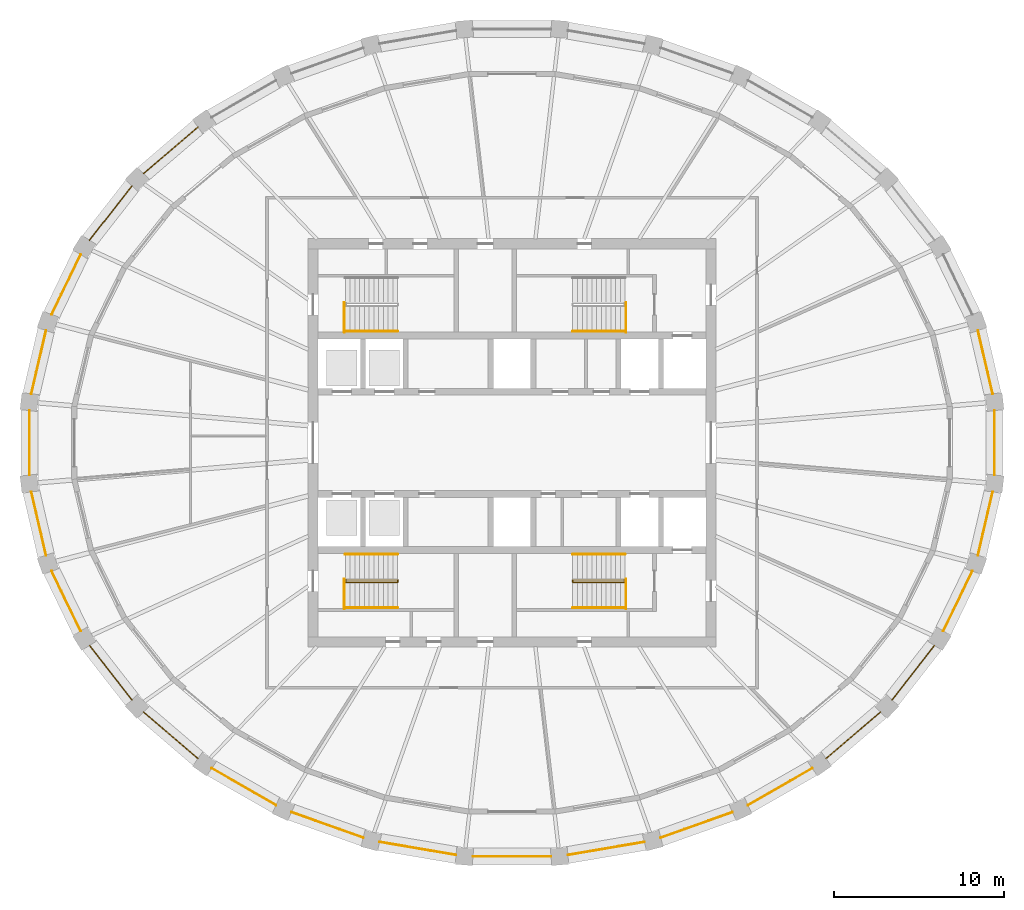
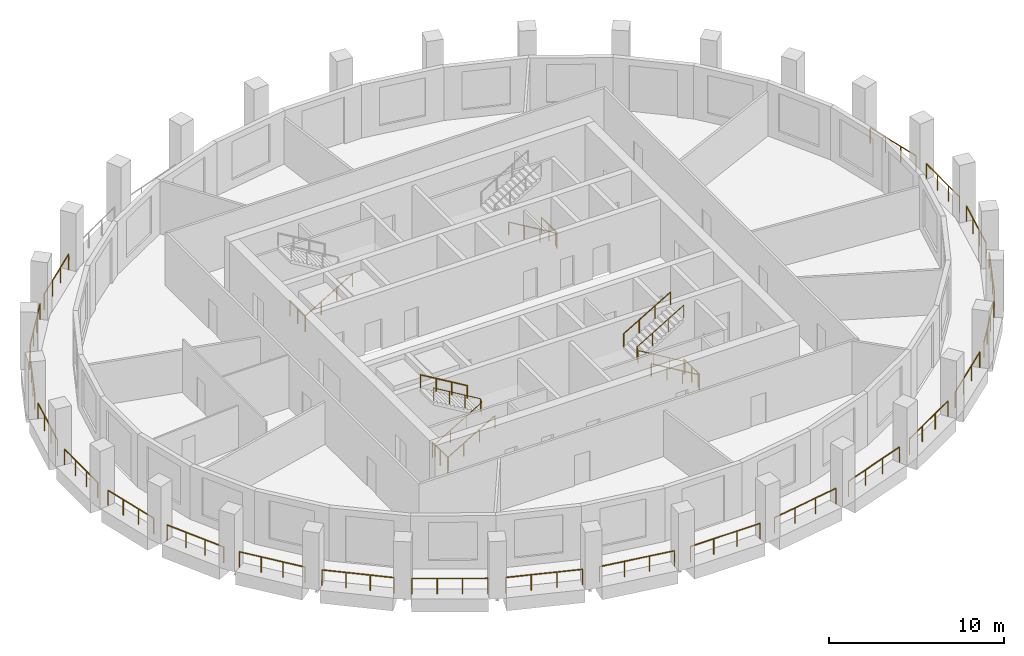
# One storey, part 8 of 10: 34 railings.
"""IFC4 building model written with IfcOpenShell, lengths in metres."""

from ifc_helpers import new_model, si_unit, direction, frame, origin, origin_2d, place, context, subcontext, project, spatial, circle, extrude, material, type_object, element, save


model = new_model("IFC4")

# Units and contexts
model_context = context("Model", 3, precision=1e-05, world=origin(), true_north=direction((0.0, 1.0)))
body_context = subcontext(model_context, "Body", "Model", "MODEL_VIEW")
ifc_project = project(units=[si_unit("LENGTHUNIT", "METRE"), si_unit("AREAUNIT", "SQUARE_METRE"), si_unit("VOLUMEUNIT", "CUBIC_METRE"), si_unit("PLANEANGLEUNIT", "RADIAN"), si_unit("MASSUNIT", "GRAM", prefix="KILO")], contexts=[model_context])

# Site, building, storey
site_placement = place(None, origin())
site = spatial("IfcSite", under=ifc_project, at=site_placement, CompositionType="ELEMENT")
building_placement = place(site_placement, origin())
building = spatial("IfcBuilding", under=site, at=building_placement, Name="Halqa Exchange Tower", CompositionType="ELEMENT")
storey_placement = place(building_placement, frame((0.0, 0.0, 320.300048828125)))
storey = spatial("IfcBuildingStorey", under=building, at=storey_placement, Name="L75", CompositionType="ELEMENT", Elevation=320.300048828125)

# Railings
ifc_material = material(Name="Stainless steel", Category="steel")
railing_type_1 = type_object("IfcRailingType", Name="Guard 1100 stainless steel", PredefinedType="GUARDRAIL", material=ifc_material)
railing_1_placement = place(storey_placement, frame((28.249755859375, 2.881591796875, 0.0)))
element("IfcRailing", 1, at=railing_1_placement, inside=storey, type_object=railing_type_1, Name="Loggia guard 1", PredefinedType="GUARDRAIL", context=body_context, shape_type="SweptSolid", body=[
    extrude(circle(Radius=0.02392578125, at=origin_2d()), frame((0.0, 0.0, 1.076171875), z_axis=(-0.226100478953, 0.97410398491, 0.0), x_axis=(-0.97410398491, -0.226100478953, 0.0)), (0.0, 0.0, 1.0), 3.8212890625),
    extrude(circle(Radius=0.02099609375, at=origin_2d()), origin(), (0.0, 0.0, 1.0), 1.052001953125),
    extrude(circle(Radius=0.02099609375, at=origin_2d()), frame((-0.2880859375, 1.24072265625, 0.0)), (0.0, 0.0, 1.0), 1.052001953125),
    extrude(circle(Radius=0.02099609375, at=origin_2d()), frame((-0.575927734375, 2.481689453125, 0.0)), (0.0, 0.0, 1.0), 1.052001953125),
    extrude(circle(Radius=0.02099609375, at=origin_2d()), frame((-0.864013671875, 3.722412109375, 0.0)), (0.0, 0.0, 1.0), 1.052001953125),
])
railing_2_placement = place(storey_placement, frame((-18.459716796875, 18.55810546875, 0.0)))
element("IfcRailing", 2, at=railing_2_placement, inside=storey, type_object=railing_type_1, Name="Loggia guard 12", PredefinedType="GUARDRAIL", context=body_context, shape_type="SweptSolid", body=[
    extrude(circle(Radius=0.02392578125, at=origin_2d()), frame((0.0, 0.0, 1.076171875), z_axis=(-0.75927300229, -0.650772239723, 0.0), x_axis=(0.650772239723, -0.75927300229, 0.0)), (0.0, 0.0, 1.0), 4.203125),
    extrude(circle(Radius=0.02099609375, at=origin_2d()), origin(), (0.0, 0.0, 1.0), 1.052001953125),
    extrude(circle(Radius=0.02099609375, at=origin_2d()), frame((-1.063720703125, -0.911865234375, 0.0)), (0.0, 0.0, 1.0), 1.052001953125),
    extrude(circle(Radius=0.02099609375, at=origin_2d()), frame((-2.127685546875, -1.823486328125, 0.0)), (0.0, 0.0, 1.0), 1.052001953125),
    extrude(circle(Radius=0.02099609375, at=origin_2d()), frame((-3.19140625, -2.7353515625, 0.0)), (0.0, 0.0, 1.0), 1.052001953125),
])
railing_3_placement = place(storey_placement, frame((-22.338134765625, 15.10302734375, 0.0)))
element("IfcRailing", 3, at=railing_3_placement, inside=storey, type_object=railing_type_1, Name="Loggia guard 13", PredefinedType="GUARDRAIL", context=body_context, shape_type="SweptSolid", body=[
    extrude(circle(Radius=0.02392578125, at=origin_2d()), frame((0.0, 0.0, 1.076171875), z_axis=(-0.614821078368, -0.788666622594, 0.0), x_axis=(0.788666622594, -0.614821078368, 0.0)), (0.0, 0.0, 1.0), 4.048828125),
    extrude(circle(Radius=0.02099609375, at=origin_2d()), origin(), (0.0, 0.0, 1.0), 1.052001953125),
    extrude(circle(Radius=0.02099609375, at=origin_2d()), frame((-0.829833984375, -1.064453125, 0.0)), (0.0, 0.0, 1.0), 1.052001953125),
    extrude(circle(Radius=0.02099609375, at=origin_2d()), frame((-1.659423828125, -2.128662109375, 0.0)), (0.0, 0.0, 1.0), 1.052001953125),
    extrude(circle(Radius=0.02099609375, at=origin_2d()), frame((-2.4892578125, -3.193115234375, 0.0)), (0.0, 0.0, 1.0), 1.052001953125),
])
railing_4_placement = place(storey_placement, frame((-25.352294921875, 11.0654296875, 0.0)))
element("IfcRailing", 4, at=railing_4_placement, inside=storey, type_object=railing_type_1, Name="Loggia guard 14", PredefinedType="GUARDRAIL", context=body_context, shape_type="SweptSolid", body=[
    extrude(circle(Radius=0.02392578125, at=origin_2d()), frame((0.0, 0.0, 1.076171875), z_axis=(-0.435146748862, -0.900359543158, 0.0), x_axis=(0.900359543158, -0.435146748862, 0.0)), (0.0, 0.0, 1.0), 3.913818359375),
    extrude(circle(Radius=0.02099609375, at=origin_2d()), origin(), (0.0, 0.0, 1.0), 1.052001953125),
    extrude(circle(Radius=0.02099609375, at=origin_2d()), frame((-0.567626953125, -1.174560546875, 0.0)), (0.0, 0.0, 1.0), 1.052001953125),
    extrude(circle(Radius=0.02099609375, at=origin_2d()), frame((-1.135498046875, -2.349365234375, 0.0)), (0.0, 0.0, 1.0), 1.052001953125),
    extrude(circle(Radius=0.02099609375, at=origin_2d()), frame((-1.703125, -3.52392578125, 0.0)), (0.0, 0.0, 1.0), 1.052001953125),
])
railing_5_placement = place(storey_placement, frame((-27.3857421875, 6.60400390625, 0.0)))
element("IfcRailing", 5, at=railing_5_placement, inside=storey, type_object=railing_type_1, Name="Loggia guard 15", PredefinedType="GUARDRAIL", context=body_context, shape_type="SweptSolid", body=[
    extrude(circle(Radius=0.02392578125, at=origin_2d()), frame((0.0, 0.0, 1.076171875), z_axis=(-0.226100478953, -0.97410398491, 0.0), x_axis=(0.97410398491, -0.226100478953, 0.0)), (0.0, 0.0, 1.0), 3.8212890625),
    extrude(circle(Radius=0.02099609375, at=origin_2d()), origin(), (0.0, 0.0, 1.0), 1.052001953125),
    extrude(circle(Radius=0.02099609375, at=origin_2d()), frame((-0.2880859375, -1.24072265625, 0.0)), (0.0, 0.0, 1.0), 1.052001953125),
    extrude(circle(Radius=0.02099609375, at=origin_2d()), frame((-0.575927734375, -2.481689453125, 0.0)), (0.0, 0.0, 1.0), 1.052001953125),
    extrude(circle(Radius=0.02099609375, at=origin_2d()), frame((-0.864013671875, -3.722412109375, 0.0)), (0.0, 0.0, 1.0), 1.052001953125),
])
railing_6_placement = place(storey_placement, frame((-28.36279296875, 1.894287109375, 0.0)))
element("IfcRailing", 6, at=railing_6_placement, inside=storey, type_object=railing_type_1, Name="Loggia guard 16", PredefinedType="GUARDRAIL", context=body_context, shape_type="SweptSolid", body=[
    extrude(circle(Radius=0.02392578125, at=origin_2d()), frame((0.0, 0.0, 1.076171875), z_axis=(0.0, -1.0, 0.0), x_axis=(1.0, 0.0, 0.0)), (0.0, 0.0, 1.0), 3.78857421875),
    extrude(circle(Radius=0.02099609375, at=origin_2d()), origin(), (0.0, 0.0, 1.0), 1.052001953125),
    extrude(circle(Radius=0.02099609375, at=origin_2d()), frame((0.0, -1.262939453125, 0.0)), (0.0, 0.0, 1.0), 1.052001953125),
    extrude(circle(Radius=0.02099609375, at=origin_2d()), frame((0.0, -2.525634765625, 0.0)), (0.0, 0.0, 1.0), 1.052001953125),
    extrude(circle(Radius=0.02099609375, at=origin_2d()), frame((0.0, -3.78857421875, 0.0)), (0.0, 0.0, 1.0), 1.052001953125),
])
railing_7_placement = place(storey_placement, frame((-28.249755859375, -2.881591796875, 0.0)))
element("IfcRailing", 7, at=railing_7_placement, inside=storey, type_object=railing_type_1, Name="Loggia guard 17", PredefinedType="GUARDRAIL", context=body_context, shape_type="SweptSolid", body=[
    extrude(circle(Radius=0.02392578125, at=origin_2d()), frame((0.0, 0.0, 1.076171875), z_axis=(0.226100478953, -0.97410398491, 0.0), x_axis=(0.97410398491, 0.226100478953, 0.0)), (0.0, 0.0, 1.0), 3.8212890625),
    extrude(circle(Radius=0.02099609375, at=origin_2d()), origin(), (0.0, 0.0, 1.0), 1.052001953125),
    extrude(circle(Radius=0.02099609375, at=origin_2d()), frame((0.2880859375, -1.24072265625, 0.0)), (0.0, 0.0, 1.0), 1.052001953125),
    extrude(circle(Radius=0.02099609375, at=origin_2d()), frame((0.575927734375, -2.481689453125, 0.0)), (0.0, 0.0, 1.0), 1.052001953125),
    extrude(circle(Radius=0.02099609375, at=origin_2d()), frame((0.864013671875, -3.722412109375, 0.0)), (0.0, 0.0, 1.0), 1.052001953125),
])
railing_8_placement = place(storey_placement, frame((-27.055419921875, -7.54150390625, 0.0)))
element("IfcRailing", 8, at=railing_8_placement, inside=storey, type_object=railing_type_1, Name="Loggia guard 18", PredefinedType="GUARDRAIL", context=body_context, shape_type="SweptSolid", body=[
    extrude(circle(Radius=0.02392578125, at=origin_2d()), frame((0.0, 0.0, 1.076171875), z_axis=(0.435146748862, -0.900359543158, 0.0), x_axis=(0.900359543158, 0.435146748862, 0.0)), (0.0, 0.0, 1.0), 3.913818359375),
    extrude(circle(Radius=0.02099609375, at=origin_2d()), origin(), (0.0, 0.0, 1.0), 1.052001953125),
    extrude(circle(Radius=0.02099609375, at=origin_2d()), frame((0.567626953125, -1.174560546875, 0.0)), (0.0, 0.0, 1.0), 1.052001953125),
    extrude(circle(Radius=0.02099609375, at=origin_2d()), frame((1.135498046875, -2.349365234375, 0.0)), (0.0, 0.0, 1.0), 1.052001953125),
    extrude(circle(Radius=0.02099609375, at=origin_2d()), frame((1.703125, -3.52392578125, 0.0)), (0.0, 0.0, 1.0), 1.052001953125),
])
railing_9_placement = place(storey_placement, frame((-24.827392578125, -11.909912109375, 0.0)))
element("IfcRailing", 9, at=railing_9_placement, inside=storey, type_object=railing_type_1, Name="Loggia guard 19", PredefinedType="GUARDRAIL", context=body_context, shape_type="SweptSolid", body=[
    extrude(circle(Radius=0.02392578125, at=origin_2d()), frame((0.0, 0.0, 1.076171875), z_axis=(0.614821078368, -0.788666622594, 0.0), x_axis=(0.788666622594, 0.614821078368, 0.0)), (0.0, 0.0, 1.0), 4.048828125),
    extrude(circle(Radius=0.02099609375, at=origin_2d()), origin(), (0.0, 0.0, 1.0), 1.052001953125),
    extrude(circle(Radius=0.02099609375, at=origin_2d()), frame((0.829833984375, -1.064453125, 0.0)), (0.0, 0.0, 1.0), 1.052001953125),
    extrude(circle(Radius=0.02099609375, at=origin_2d()), frame((1.659423828125, -2.128662109375, 0.0)), (0.0, 0.0, 1.0), 1.052001953125),
    extrude(circle(Radius=0.02099609375, at=origin_2d()), frame((2.4892578125, -3.193115234375, 0.0)), (0.0, 0.0, 1.0), 1.052001953125),
])
railing_10_placement = place(storey_placement, frame((-21.651123046875, -15.82275390625, 0.0)))
element("IfcRailing", 10, at=railing_10_placement, inside=storey, type_object=railing_type_1, Name="Loggia guard 20", PredefinedType="GUARDRAIL", context=body_context, shape_type="SweptSolid", body=[
    extrude(circle(Radius=0.02392578125, at=origin_2d()), frame((0.0, 0.0, 1.076171875), z_axis=(0.75927300229, -0.650772239723, 0.0), x_axis=(0.650772239723, 0.75927300229, 0.0)), (0.0, 0.0, 1.0), 4.203125),
    extrude(circle(Radius=0.02099609375, at=origin_2d()), origin(), (0.0, 0.0, 1.0), 1.052001953125),
    extrude(circle(Radius=0.02099609375, at=origin_2d()), frame((1.063720703125, -0.911865234375, 0.0)), (0.0, 0.0, 1.0), 1.052001953125),
    extrude(circle(Radius=0.02099609375, at=origin_2d()), frame((2.127685546875, -1.823486328125, 0.0)), (0.0, 0.0, 1.0), 1.052001953125),
    extrude(circle(Radius=0.02099609375, at=origin_2d()), frame((3.19140625, -2.7353515625, 0.0)), (0.0, 0.0, 1.0), 1.052001953125),
])
railing_11_placement = place(storey_placement, frame((-17.646240234375, -19.132080078125, 0.0)))
element("IfcRailing", 11, at=railing_11_placement, inside=storey, type_object=railing_type_1, Name="Loggia guard 21", PredefinedType="GUARDRAIL", context=body_context, shape_type="SweptSolid", body=[
    extrude(circle(Radius=0.02392578125, at=origin_2d()), frame((0.0, 0.0, 1.076171875), z_axis=(0.867752650497, -0.496996315434, 0.0), x_axis=(0.496996315434, 0.867752650497, 0.0)), (0.0, 0.0, 1.0), 4.353271484375),
    extrude(circle(Radius=0.02099609375, at=origin_2d()), origin(), (0.0, 0.0, 1.0), 1.052001953125),
    extrude(circle(Radius=0.02099609375, at=origin_2d()), frame((1.25927734375, -0.72119140625, 0.0)), (0.0, 0.0, 1.0), 1.052001953125),
    extrude(circle(Radius=0.02099609375, at=origin_2d()), frame((2.518310546875, -1.4423828125, 0.0)), (0.0, 0.0, 1.0), 1.052001953125),
    extrude(circle(Radius=0.02099609375, at=origin_2d()), frame((3.777587890625, -2.16357421875, 0.0)), (0.0, 0.0, 1.0), 1.052001953125),
])
railing_12_placement = place(storey_placement, frame((-12.963623046875, -21.71142578125, 0.0)))
element("IfcRailing", 12, at=railing_12_placement, inside=storey, type_object=railing_type_1, Name="Loggia guard 22", PredefinedType="GUARDRAIL", context=body_context, shape_type="SweptSolid", body=[
    extrude(circle(Radius=0.02392578125, at=origin_2d()), frame((0.0, 0.0, 1.076171875), z_axis=(0.942364531835, -0.334587939321, 0.0), x_axis=(0.334587939321, 0.942364531835, 0.0)), (0.0, 0.0, 1.0), 4.477294921875),
    extrude(circle(Radius=0.02099609375, at=origin_2d()), origin(), (0.0, 0.0, 1.0), 1.052001953125),
    extrude(circle(Radius=0.02099609375, at=origin_2d()), frame((1.406494140625, -0.499267578125, 0.0)), (0.0, 0.0, 1.0), 1.052001953125),
    extrude(circle(Radius=0.02099609375, at=origin_2d()), frame((2.812744140625, -0.998779296875, 0.0)), (0.0, 0.0, 1.0), 1.052001953125),
    extrude(circle(Radius=0.02099609375, at=origin_2d()), frame((4.21923828125, -1.498046875, 0.0)), (0.0, 0.0, 1.0), 1.052001953125),
])
railing_13_placement = place(storey_placement, frame((-7.7802734375, -23.460693359375, 0.0)))
element("IfcRailing", 13, at=railing_13_placement, inside=storey, type_object=railing_type_1, Name="Loggia guard 23", PredefinedType="GUARDRAIL", context=body_context, shape_type="SweptSolid", body=[
    extrude(circle(Radius=0.02392578125, at=origin_2d()), frame((0.0, 0.0, 1.076171875), z_axis=(0.985768911013, -0.168106079843, 0.0), x_axis=(0.168106079843, 0.985768911013, 0.0)), (0.0, 0.0, 1.0), 4.558837890625),
    extrude(circle(Radius=0.02099609375, at=origin_2d()), origin(), (0.0, 0.0, 1.0), 1.052001953125),
    extrude(circle(Radius=0.02099609375, at=origin_2d()), frame((1.498046875, -0.25537109375, 0.0)), (0.0, 0.0, 1.0), 1.052001953125),
    extrude(circle(Radius=0.02099609375, at=origin_2d()), frame((2.995849609375, -0.510986328125, 0.0)), (0.0, 0.0, 1.0), 1.052001953125),
    extrude(circle(Radius=0.02099609375, at=origin_2d()), frame((4.493896484375, -0.766357421875, 0.0)), (0.0, 0.0, 1.0), 1.052001953125),
])
railing_14_placement = place(storey_placement, frame((-2.29345703125, -24.31103515625, 0.0)))
element("IfcRailing", 14, at=railing_14_placement, inside=storey, type_object=railing_type_1, Name="Loggia guard 24", PredefinedType="GUARDRAIL", context=body_context, shape_type="SweptSolid", body=[
    extrude(circle(Radius=0.02392578125, at=origin_2d()), frame((0.0, 0.0, 1.076171875), z_axis=(1.0, 0.0, 0.0), x_axis=(0.0, 1.0, 0.0)), (0.0, 0.0, 1.0), 4.5869140625),
    extrude(circle(Radius=0.02099609375, at=origin_2d()), origin(), (0.0, 0.0, 1.0), 1.052001953125),
    extrude(circle(Radius=0.02099609375, at=origin_2d()), frame((1.529052734375, 0.0, 0.0)), (0.0, 0.0, 1.0), 1.052001953125),
    extrude(circle(Radius=0.02099609375, at=origin_2d()), frame((3.057861328125, 0.0, 0.0)), (0.0, 0.0, 1.0), 1.052001953125),
    extrude(circle(Radius=0.02099609375, at=origin_2d()), frame((4.5869140625, 0.0, 0.0)), (0.0, 0.0, 1.0), 1.052001953125),
])
railing_15_placement = place(storey_placement, frame((3.286376953125, -24.22705078125, 0.0)))
element("IfcRailing", 15, at=railing_15_placement, inside=storey, type_object=railing_type_1, Name="Loggia guard 25", PredefinedType="GUARDRAIL", context=body_context, shape_type="SweptSolid", body=[
    extrude(circle(Radius=0.02392578125, at=origin_2d()), frame((0.0, 0.0, 1.076171875), z_axis=(0.985768911013, 0.168106079843, 0.0), x_axis=(-0.168106079843, 0.985768911013, 0.0)), (0.0, 0.0, 1.0), 4.558837890625),
    extrude(circle(Radius=0.02099609375, at=origin_2d()), origin(), (0.0, 0.0, 1.0), 1.052001953125),
    extrude(circle(Radius=0.02099609375, at=origin_2d()), frame((1.498046875, 0.25537109375, 0.0)), (0.0, 0.0, 1.0), 1.052001953125),
    extrude(circle(Radius=0.02099609375, at=origin_2d()), frame((2.995849609375, 0.510986328125, 0.0)), (0.0, 0.0, 1.0), 1.052001953125),
    extrude(circle(Radius=0.02099609375, at=origin_2d()), frame((4.493896484375, 0.766357421875, 0.0)), (0.0, 0.0, 1.0), 1.052001953125),
])
railing_16_placement = place(storey_placement, frame((8.744384765625, -23.20947265625, 0.0)))
element("IfcRailing", 16, at=railing_16_placement, inside=storey, type_object=railing_type_1, Name="Loggia guard 26", PredefinedType="GUARDRAIL", context=body_context, shape_type="SweptSolid", body=[
    extrude(circle(Radius=0.02392578125, at=origin_2d()), frame((0.0, 0.0, 1.076171875), z_axis=(0.942364531835, 0.334587939321, 0.0), x_axis=(-0.334587939321, 0.942364531835, 0.0)), (0.0, 0.0, 1.0), 4.477294921875),
    extrude(circle(Radius=0.02099609375, at=origin_2d()), origin(), (0.0, 0.0, 1.0), 1.052001953125),
    extrude(circle(Radius=0.02099609375, at=origin_2d()), frame((1.406494140625, 0.499267578125, 0.0)), (0.0, 0.0, 1.0), 1.052001953125),
    extrude(circle(Radius=0.02099609375, at=origin_2d()), frame((2.812744140625, 0.998779296875, 0.0)), (0.0, 0.0, 1.0), 1.052001953125),
    extrude(circle(Radius=0.02099609375, at=origin_2d()), frame((4.21923828125, 1.498046875, 0.0)), (0.0, 0.0, 1.0), 1.052001953125),
])
railing_17_placement = place(storey_placement, frame((13.86865234375, -21.295654296875, 0.0)))
element("IfcRailing", 17, at=railing_17_placement, inside=storey, type_object=railing_type_1, Name="Loggia guard 27", PredefinedType="GUARDRAIL", context=body_context, shape_type="SweptSolid", body=[
    extrude(circle(Radius=0.02392578125, at=origin_2d()), frame((0.0, 0.0, 1.076171875), z_axis=(0.867752650497, 0.496996315434, 0.0), x_axis=(-0.496996315434, 0.867752650497, 0.0)), (0.0, 0.0, 1.0), 4.353271484375),
    extrude(circle(Radius=0.02099609375, at=origin_2d()), origin(), (0.0, 0.0, 1.0), 1.052001953125),
    extrude(circle(Radius=0.02099609375, at=origin_2d()), frame((1.25927734375, 0.72119140625, 0.0)), (0.0, 0.0, 1.0), 1.052001953125),
    extrude(circle(Radius=0.02099609375, at=origin_2d()), frame((2.518310546875, 1.4423828125, 0.0)), (0.0, 0.0, 1.0), 1.052001953125),
    extrude(circle(Radius=0.02099609375, at=origin_2d()), frame((3.777587890625, 2.16357421875, 0.0)), (0.0, 0.0, 1.0), 1.052001953125),
])
railing_18_placement = place(storey_placement, frame((18.459716796875, -18.55810546875, 0.0)))
element("IfcRailing", 18, at=railing_18_placement, inside=storey, type_object=railing_type_1, Name="Loggia guard 28", PredefinedType="GUARDRAIL", context=body_context, shape_type="SweptSolid", body=[
    extrude(circle(Radius=0.02392578125, at=origin_2d()), frame((0.0, 0.0, 1.076171875), z_axis=(0.75927300229, 0.650772239723, 0.0), x_axis=(-0.650772239723, 0.75927300229, 0.0)), (0.0, 0.0, 1.0), 4.203125),
    extrude(circle(Radius=0.02099609375, at=origin_2d()), origin(), (0.0, 0.0, 1.0), 1.052001953125),
    extrude(circle(Radius=0.02099609375, at=origin_2d()), frame((1.063720703125, 0.911865234375, 0.0)), (0.0, 0.0, 1.0), 1.052001953125),
    extrude(circle(Radius=0.02099609375, at=origin_2d()), frame((2.127685546875, 1.823486328125, 0.0)), (0.0, 0.0, 1.0), 1.052001953125),
    extrude(circle(Radius=0.02099609375, at=origin_2d()), frame((3.19140625, 2.7353515625, 0.0)), (0.0, 0.0, 1.0), 1.052001953125),
])
railing_19_placement = place(storey_placement, frame((22.338134765625, -15.10302734375, 0.0)))
element("IfcRailing", 19, at=railing_19_placement, inside=storey, type_object=railing_type_1, Name="Loggia guard 29", PredefinedType="GUARDRAIL", context=body_context, shape_type="SweptSolid", body=[
    extrude(circle(Radius=0.02392578125, at=origin_2d()), frame((0.0, 0.0, 1.076171875), z_axis=(0.614821078368, 0.788666622594, 0.0), x_axis=(-0.788666622594, 0.614821078368, 0.0)), (0.0, 0.0, 1.0), 4.048828125),
    extrude(circle(Radius=0.02099609375, at=origin_2d()), origin(), (0.0, 0.0, 1.0), 1.052001953125),
    extrude(circle(Radius=0.02099609375, at=origin_2d()), frame((0.829833984375, 1.064453125, 0.0)), (0.0, 0.0, 1.0), 1.052001953125),
    extrude(circle(Radius=0.02099609375, at=origin_2d()), frame((1.659423828125, 2.128662109375, 0.0)), (0.0, 0.0, 1.0), 1.052001953125),
    extrude(circle(Radius=0.02099609375, at=origin_2d()), frame((2.4892578125, 3.193115234375, 0.0)), (0.0, 0.0, 1.0), 1.052001953125),
])
railing_20_placement = place(storey_placement, frame((25.352294921875, -11.0654296875, 0.0)))
element("IfcRailing", 20, at=railing_20_placement, inside=storey, type_object=railing_type_1, Name="Loggia guard 30", PredefinedType="GUARDRAIL", context=body_context, shape_type="SweptSolid", body=[
    extrude(circle(Radius=0.02392578125, at=origin_2d()), frame((0.0, 0.0, 1.076171875), z_axis=(0.435146748862, 0.900359543158, 0.0), x_axis=(-0.900359543158, 0.435146748862, 0.0)), (0.0, 0.0, 1.0), 3.913818359375),
    extrude(circle(Radius=0.02099609375, at=origin_2d()), origin(), (0.0, 0.0, 1.0), 1.052001953125),
    extrude(circle(Radius=0.02099609375, at=origin_2d()), frame((0.567626953125, 1.174560546875, 0.0)), (0.0, 0.0, 1.0), 1.052001953125),
    extrude(circle(Radius=0.02099609375, at=origin_2d()), frame((1.135498046875, 2.349365234375, 0.0)), (0.0, 0.0, 1.0), 1.052001953125),
    extrude(circle(Radius=0.02099609375, at=origin_2d()), frame((1.703125, 3.52392578125, 0.0)), (0.0, 0.0, 1.0), 1.052001953125),
])
railing_21_placement = place(storey_placement, frame((27.3857421875, -6.60400390625, 0.0)))
element("IfcRailing", 21, at=railing_21_placement, inside=storey, type_object=railing_type_1, Name="Loggia guard 31", PredefinedType="GUARDRAIL", context=body_context, shape_type="SweptSolid", body=[
    extrude(circle(Radius=0.02392578125, at=origin_2d()), frame((0.0, 0.0, 1.076171875), z_axis=(0.226100478953, 0.97410398491, 0.0), x_axis=(-0.97410398491, 0.226100478953, 0.0)), (0.0, 0.0, 1.0), 3.8212890625),
    extrude(circle(Radius=0.02099609375, at=origin_2d()), origin(), (0.0, 0.0, 1.0), 1.052001953125),
    extrude(circle(Radius=0.02099609375, at=origin_2d()), frame((0.2880859375, 1.24072265625, 0.0)), (0.0, 0.0, 1.0), 1.052001953125),
    extrude(circle(Radius=0.02099609375, at=origin_2d()), frame((0.575927734375, 2.481689453125, 0.0)), (0.0, 0.0, 1.0), 1.052001953125),
    extrude(circle(Radius=0.02099609375, at=origin_2d()), frame((0.864013671875, 3.722412109375, 0.0)), (0.0, 0.0, 1.0), 1.052001953125),
])
railing_22_placement = place(storey_placement, frame((28.36279296875, -1.894287109375, 0.0)))
element("IfcRailing", 22, at=railing_22_placement, inside=storey, type_object=railing_type_1, Name="Loggia guard 32", PredefinedType="GUARDRAIL", context=body_context, shape_type="SweptSolid", body=[
    extrude(circle(Radius=0.02392578125, at=origin_2d()), frame((0.0, 0.0, 1.076171875), z_axis=(0.0, 1.0, 0.0), x_axis=(-1.0, 0.0, 0.0)), (0.0, 0.0, 1.0), 3.78857421875),
    extrude(circle(Radius=0.02099609375, at=origin_2d()), origin(), (0.0, 0.0, 1.0), 1.052001953125),
    extrude(circle(Radius=0.02099609375, at=origin_2d()), frame((0.0, 1.262939453125, 0.0)), (0.0, 0.0, 1.0), 1.052001953125),
    extrude(circle(Radius=0.02099609375, at=origin_2d()), frame((0.0, 2.525634765625, 0.0)), (0.0, 0.0, 1.0), 1.052001953125),
    extrude(circle(Radius=0.02099609375, at=origin_2d()), frame((0.0, 3.78857421875, 0.0)), (0.0, 0.0, 1.0), 1.052001953125),
])
railing_type_2 = type_object("IfcRailingType", Name="Stair handrail 900", PredefinedType="HANDRAIL", material=ifc_material)
railing_23_placement = place(storey_placement, frame((-9.800048828125, 6.550048828125, 0.166748046875)))
element("IfcRailing", 23, at=railing_23_placement, inside=storey, type_object=railing_type_2, Name="Handrail ST1.2", PredefinedType="HANDRAIL", context=body_context, shape_type="SweptSolid", body=[
    extrude(circle(Radius=0.02392578125, at=origin_2d()), frame((0.0, 0.0, 0.8759765625), z_axis=(0.859308565015, 0.0, 0.511457515432), x_axis=(0.0, 1.0, 0.0)), (0.0, 0.0, 1.0), 3.58447265625),
    extrude(circle(Radius=0.02099609375, at=origin_2d()), origin(), (0.0, 0.0, 1.0), 0.851806640625),
    extrude(circle(Radius=0.02099609375, at=origin_2d()), frame((1.026611328125, 0.0, 0.611083984375)), (0.0, 0.0, 1.0), 0.851806640625),
    extrude(circle(Radius=0.02099609375, at=origin_2d()), frame((2.053466796875, 0.0, 1.22216796875)), (0.0, 0.0, 1.0), 0.851806640625),
    extrude(circle(Radius=0.02099609375, at=origin_2d()), frame((3.080078125, 0.0, 1.833251953125)), (0.0, 0.0, 1.0), 0.851806640625),
])
railing_24_placement = place(storey_placement, frame((6.64990234375, 6.550048828125, 0.166748046875)))
element("IfcRailing", 24, at=railing_24_placement, inside=storey, type_object=railing_type_2, Name="Handrail ST2.2", PredefinedType="HANDRAIL", context=body_context, shape_type="SweptSolid", body=[
    extrude(circle(Radius=0.02392578125, at=origin_2d()), frame((0.0, 0.0, 0.8759765625), z_axis=(-0.859290745958, 0.0, 0.51148745235), x_axis=(0.0, -1.0, 0.0)), (0.0, 0.0, 1.0), 3.584228515625),
    extrude(circle(Radius=0.02099609375, at=origin_2d()), origin(), (0.0, 0.0, 1.0), 0.851806640625),
    extrude(circle(Radius=0.02099609375, at=origin_2d()), frame((-1.026611328125, 0.0, 0.611083984375)), (0.0, 0.0, 1.0), 0.851806640625),
    extrude(circle(Radius=0.02099609375, at=origin_2d()), frame((-2.05322265625, 0.0, 1.22216796875)), (0.0, 0.0, 1.0), 0.851806640625),
    extrude(circle(Radius=0.02099609375, at=origin_2d()), frame((-3.079833984375, 0.0, 1.833251953125)), (0.0, 0.0, 1.0), 0.851806640625),
])
railing_25_placement = place(storey_placement, frame((-9.800048828125, -8.18994140625, 0.166748046875)))
element("IfcRailing", 25, at=railing_25_placement, inside=storey, type_object=railing_type_2, Name="Handrail ST3.1", PredefinedType="HANDRAIL", context=body_context, shape_type="SweptSolid", body=[
    extrude(circle(Radius=0.02392578125, at=origin_2d()), frame((0.0, 0.0, 0.8759765625), z_axis=(0.859308565015, 0.0, 0.511457515432), x_axis=(0.0, 1.0, 0.0)), (0.0, 0.0, 1.0), 3.58447265625),
    extrude(circle(Radius=0.02392578125, at=origin_2d()), frame((3.080078125, 0.0, 2.708984375), z_axis=(0.0, 0.614500226555, 0.788916644243), x_axis=(-1.0, 0.0, 0.0)), (0.0, 0.0, 1.0), 0.21142578125),
    extrude(circle(Radius=0.02392578125, at=origin_2d()), frame((3.080078125, 0.1298828125, 2.8759765625), z_axis=(-0.859308565015, 0.0, 0.511457515432), x_axis=(0.0, -1.0, 0.0)), (0.0, 0.0, 1.0), 3.58447265625),
    extrude(circle(Radius=0.02099609375, at=origin_2d()), origin(), (0.0, 0.0, 1.0), 0.851806640625),
    extrude(circle(Radius=0.02099609375, at=origin_2d()), frame((1.026611328125, 0.0, 0.611083984375)), (0.0, 0.0, 1.0), 0.851806640625),
    extrude(circle(Radius=0.02099609375, at=origin_2d()), frame((2.053466796875, 0.0, 1.22216796875)), (0.0, 0.0, 1.0), 0.851806640625),
    extrude(circle(Radius=0.02099609375, at=origin_2d()), frame((3.080078125, 0.0, 1.833251953125)), (0.0, 0.0, 1.0), 0.851806640625),
    extrude(circle(Radius=0.02099609375, at=origin_2d()), frame((3.080078125, 0.1298828125, 2.0)), (0.0, 0.0, 1.0), 0.851806640625),
    extrude(circle(Radius=0.02099609375, at=origin_2d()), frame((2.053466796875, 0.1298828125, 2.611083984375)), (0.0, 0.0, 1.0), 0.851806640625),
    extrude(circle(Radius=0.02099609375, at=origin_2d()), frame((1.026611328125, 0.1298828125, 3.22216796875)), (0.0, 0.0, 1.0), 0.851806640625),
    extrude(circle(Radius=0.02099609375, at=origin_2d()), frame((0.0, 0.1298828125, 3.833251953125)), (0.0, 0.0, 1.0), 0.851806640625),
])
railing_26_placement = place(storey_placement, frame((-9.800048828125, -9.699951171875, 0.166748046875)))
element("IfcRailing", 26, at=railing_26_placement, inside=storey, type_object=railing_type_2, Name="Handrail ST3.2", PredefinedType="HANDRAIL", context=body_context, shape_type="SweptSolid", body=[
    extrude(circle(Radius=0.02392578125, at=origin_2d()), frame((0.0, 0.0, 0.8759765625), z_axis=(0.859308565015, 0.0, 0.511457515432), x_axis=(0.0, 1.0, 0.0)), (0.0, 0.0, 1.0), 3.58447265625),
    extrude(circle(Radius=0.02099609375, at=origin_2d()), origin(), (0.0, 0.0, 1.0), 0.851806640625),
    extrude(circle(Radius=0.02099609375, at=origin_2d()), frame((1.026611328125, 0.0, 0.611083984375)), (0.0, 0.0, 1.0), 0.851806640625),
    extrude(circle(Radius=0.02099609375, at=origin_2d()), frame((2.053466796875, 0.0, 1.22216796875)), (0.0, 0.0, 1.0), 0.851806640625),
    extrude(circle(Radius=0.02099609375, at=origin_2d()), frame((3.080078125, 0.0, 1.833251953125)), (0.0, 0.0, 1.0), 0.851806640625),
])
railing_27_placement = place(storey_placement, frame((-6.719970703125, -6.550048828125, 2.166748046875)))
element("IfcRailing", 27, at=railing_27_placement, inside=storey, type_object=railing_type_2, Name="Handrail ST3.3", PredefinedType="HANDRAIL", context=body_context, shape_type="SweptSolid", body=[
    extrude(circle(Radius=0.02392578125, at=origin_2d()), frame((0.0, 0.0, 0.8759765625), z_axis=(-0.859308565015, 0.0, 0.511457515432), x_axis=(0.0, -1.0, 0.0)), (0.0, 0.0, 1.0), 3.58447265625),
    extrude(circle(Radius=0.02099609375, at=origin_2d()), origin(), (0.0, 0.0, 1.0), 0.851806640625),
    extrude(circle(Radius=0.02099609375, at=origin_2d()), frame((-1.026611328125, 0.0, 0.611083984375)), (0.0, 0.0, 1.0), 0.851806640625),
    extrude(circle(Radius=0.02099609375, at=origin_2d()), frame((-2.053466796875, 0.0, 1.22216796875)), (0.0, 0.0, 1.0), 0.851806640625),
    extrude(circle(Radius=0.02099609375, at=origin_2d()), frame((-3.080078125, 0.0, 1.833251953125)), (0.0, 0.0, 1.0), 0.851806640625),
])
railing_28_placement = place(storey_placement, frame((6.64990234375, -8.18994140625, 0.166748046875)))
element("IfcRailing", 28, at=railing_28_placement, inside=storey, type_object=railing_type_2, Name="Handrail ST4.1", PredefinedType="HANDRAIL", context=body_context, shape_type="SweptSolid", body=[
    extrude(circle(Radius=0.02392578125, at=origin_2d()), frame((0.0, 0.0, 0.8759765625), z_axis=(-0.859290745958, 0.0, 0.51148745235), x_axis=(0.0, -1.0, 0.0)), (0.0, 0.0, 1.0), 3.584228515625),
    extrude(circle(Radius=0.02392578125, at=origin_2d()), frame((-3.079833984375, 0.0, 2.708984375), z_axis=(0.0, 0.614500226555, 0.788916644243), x_axis=(-1.0, 0.0, 0.0)), (0.0, 0.0, 1.0), 0.21142578125),
    extrude(circle(Radius=0.02392578125, at=origin_2d()), frame((-3.079833984375, 0.1298828125, 2.8759765625), z_axis=(0.859290745958, 0.0, 0.51148745235), x_axis=(0.0, 1.0, 0.0)), (0.0, 0.0, 1.0), 3.584228515625),
    extrude(circle(Radius=0.02099609375, at=origin_2d()), origin(), (0.0, 0.0, 1.0), 0.851806640625),
    extrude(circle(Radius=0.02099609375, at=origin_2d()), frame((-1.026611328125, 0.0, 0.611083984375)), (0.0, 0.0, 1.0), 0.851806640625),
    extrude(circle(Radius=0.02099609375, at=origin_2d()), frame((-2.05322265625, 0.0, 1.22216796875)), (0.0, 0.0, 1.0), 0.851806640625),
    extrude(circle(Radius=0.02099609375, at=origin_2d()), frame((-3.079833984375, 0.0, 1.833251953125)), (0.0, 0.0, 1.0), 0.851806640625),
    extrude(circle(Radius=0.02099609375, at=origin_2d()), frame((-3.079833984375, 0.1298828125, 2.0)), (0.0, 0.0, 1.0), 0.851806640625),
    extrude(circle(Radius=0.02099609375, at=origin_2d()), frame((-2.05322265625, 0.1298828125, 2.611083984375)), (0.0, 0.0, 1.0), 0.851806640625),
    extrude(circle(Radius=0.02099609375, at=origin_2d()), frame((-1.026611328125, 0.1298828125, 3.22216796875)), (0.0, 0.0, 1.0), 0.851806640625),
    extrude(circle(Radius=0.02099609375, at=origin_2d()), frame((0.0, 0.1298828125, 3.833251953125)), (0.0, 0.0, 1.0), 0.851806640625),
])
railing_29_placement = place(storey_placement, frame((6.64990234375, -9.699951171875, 0.166748046875)))
element("IfcRailing", 29, at=railing_29_placement, inside=storey, type_object=railing_type_2, Name="Handrail ST4.2", PredefinedType="HANDRAIL", context=body_context, shape_type="SweptSolid", body=[
    extrude(circle(Radius=0.02392578125, at=origin_2d()), frame((0.0, 0.0, 0.8759765625), z_axis=(-0.859290745958, 0.0, 0.51148745235), x_axis=(0.0, -1.0, 0.0)), (0.0, 0.0, 1.0), 3.584228515625),
    extrude(circle(Radius=0.02099609375, at=origin_2d()), origin(), (0.0, 0.0, 1.0), 0.851806640625),
    extrude(circle(Radius=0.02099609375, at=origin_2d()), frame((-1.026611328125, 0.0, 0.611083984375)), (0.0, 0.0, 1.0), 0.851806640625),
    extrude(circle(Radius=0.02099609375, at=origin_2d()), frame((-2.05322265625, 0.0, 1.22216796875)), (0.0, 0.0, 1.0), 0.851806640625),
    extrude(circle(Radius=0.02099609375, at=origin_2d()), frame((-3.079833984375, 0.0, 1.833251953125)), (0.0, 0.0, 1.0), 0.851806640625),
])
railing_30_placement = place(storey_placement, frame((3.570068359375, -6.550048828125, 2.166748046875)))
element("IfcRailing", 30, at=railing_30_placement, inside=storey, type_object=railing_type_2, Name="Handrail ST4.3", PredefinedType="HANDRAIL", context=body_context, shape_type="SweptSolid", body=[
    extrude(circle(Radius=0.02392578125, at=origin_2d()), frame((0.0, 0.0, 0.8759765625), z_axis=(0.859290745958, 0.0, 0.51148745235), x_axis=(0.0, 1.0, 0.0)), (0.0, 0.0, 1.0), 3.584228515625),
    extrude(circle(Radius=0.02099609375, at=origin_2d()), origin(), (0.0, 0.0, 1.0), 0.851806640625),
    extrude(circle(Radius=0.02099609375, at=origin_2d()), frame((1.026611328125, 0.0, 0.611083984375)), (0.0, 0.0, 1.0), 0.851806640625),
    extrude(circle(Radius=0.02099609375, at=origin_2d()), frame((2.05322265625, 0.0, 1.22216796875)), (0.0, 0.0, 1.0), 0.851806640625),
    extrude(circle(Radius=0.02099609375, at=origin_2d()), frame((3.079833984375, 0.0, 1.833251953125)), (0.0, 0.0, 1.0), 0.851806640625),
])
railing_type_3 = type_object("IfcRailingType", Name="Stair well guard 1100", PredefinedType="GUARDRAIL", material=ifc_material)
for number, where, name in (
    (31, (-9.85009765625, 6.5, 0.0), "Guard ST1 well"),
    (32, (6.699951171875, 6.5, 0.0), "Guard ST2 well"),
    (33, (-9.85009765625, -9.75, 0.0), "Guard ST3 well"),
    (34, (6.699951171875, -9.75, 0.0), "Guard ST4 well"),
):
    element("IfcRailing", number, at=place(storey_placement, frame(where)), inside=storey, type_object=railing_type_3, Name=name, PredefinedType="GUARDRAIL", context=body_context, shape_type="SweptSolid", body=[
        extrude(circle(Radius=0.02392578125, at=origin_2d()), frame((0.0, 0.0, 1.076171875), z_axis=(0.0, 1.0, 0.0), x_axis=(-1.0, 0.0, 0.0)), (0.0, 0.0, 1.0), 1.75),
        extrude(circle(Radius=0.02099609375, at=origin_2d()), origin(), (0.0, 0.0, 1.0), 1.052001953125),
        extrude(circle(Radius=0.02099609375, at=origin_2d()), frame((0.0, 0.875, 0.0)), (0.0, 0.0, 1.0), 1.052001953125),
        extrude(circle(Radius=0.02099609375, at=origin_2d()), frame((0.0, 1.75, 0.0)), (0.0, 0.0, 1.0), 1.052001953125),
    ])

save(model, "model.ifc")
